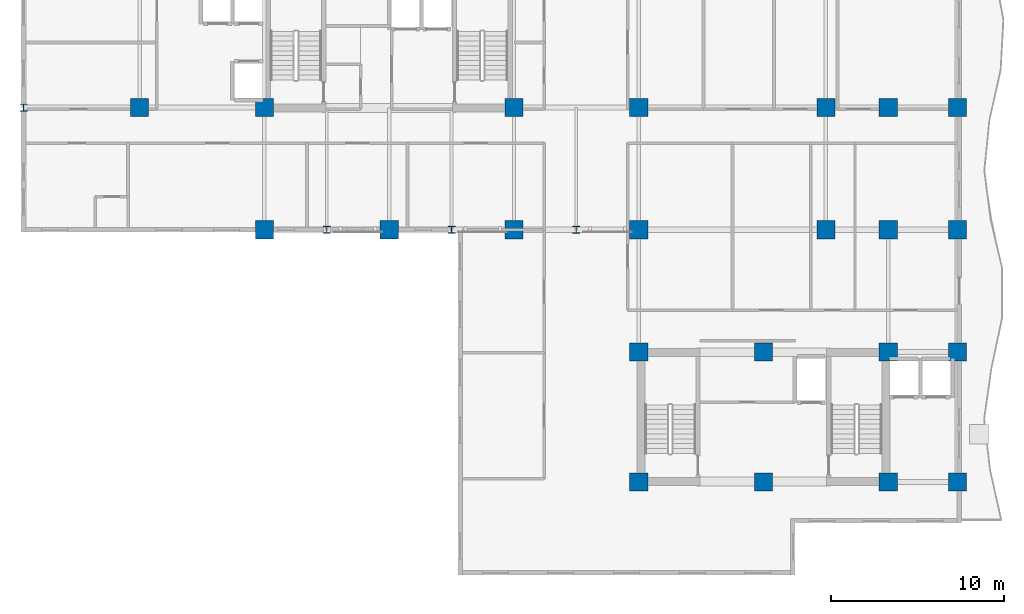
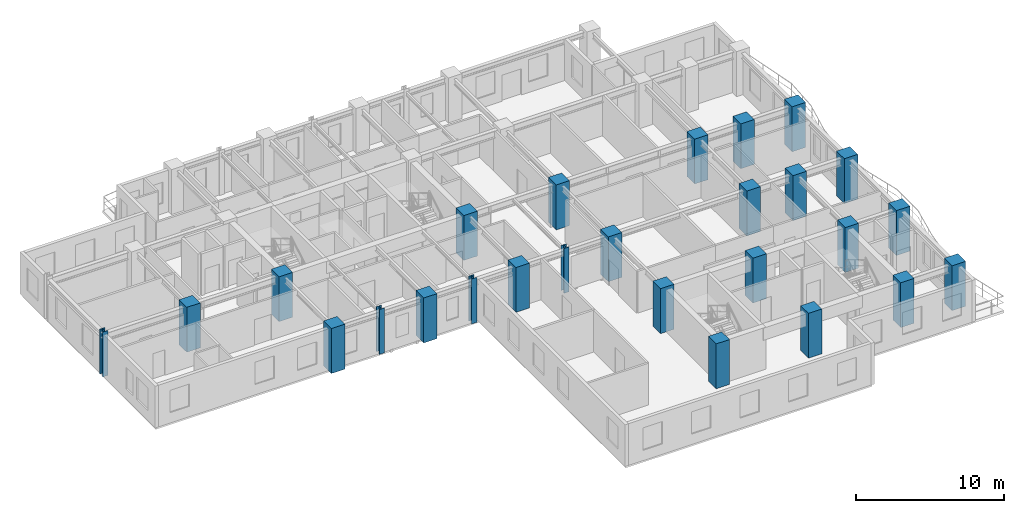
# One storey, part 1 of 13: 26 columns.
"""IFC4 building model written with IfcOpenShell, lengths in metres."""

import ifcopenshell
import ifcopenshell.guid

model = None  # the IFC model being written
_history = None  # IfcOwnerHistory: only IFC2X3 demands one
_inside = {}  # id of a spatial element -> (the spatial element, [elements in it])
_under = {}  # id of a project, library or spatial element -> (it, [spatial elements below it])
_declared = {}  # id of a project -> (the project, [libraries it declares])
_typed = {}  # id of a type object -> (the type object, [elements of that type])
_made_of = {}  # id of a material, layer set ... -> (it, [elements and type objects made of it])


def new_model(schema):
    """Start an empty IFC model of exactly this schema.

    Asked for "IFC4X3", IfcOpenShell would pick the latest addendum, in which some entities
    have other attributes; the version numbers below select the first issue.
    IFC2X3 requires an IfcOwnerHistory on every rooted entity: one is made here for all.
    """
    global model, _history
    if schema == "IFC4X3":
        model = ifcopenshell.file(schema_version=(4, 3, 0, 0))
    else:
        model = ifcopenshell.file(schema=schema)
    _inside.clear()
    _under.clear()
    _declared.clear()
    _typed.clear()
    _made_of.clear()
    _history = None
    if model.schema == "IFC2X3":
        org = make("IfcOrganization", Name="unknown")
        user = make(
            "IfcPersonAndOrganization",
            ThePerson=make("IfcPerson", FamilyName="unknown"),
            TheOrganization=org,
        )
        app = make(
            "IfcApplication",
            ApplicationDeveloper=org,
            Version="unknown",
            ApplicationFullName="unknown",
            ApplicationIdentifier="unknown",
        )
        _history = make(
            "IfcOwnerHistory",
            OwningUser=user,
            OwningApplication=app,
            ChangeAction="ADDED",
            CreationDate=0,
        )
    return model


def make(cls, **values):
    """One entity of the class cls with the attributes given. An attribute that is None is left unset."""
    return model.create_entity(
        cls, **{name: value for name, value in values.items() if value is not None}
    )


def rooted(cls, **values):
    """An entity with a GlobalId (a new one), such as an element, a storey or a relation."""
    return make(cls, GlobalId=ifcopenshell.guid.new(), OwnerHistory=_history, **values)


def si_unit(unit_type, name, prefix=None):
    """IfcSIUnit, for example si_unit("LENGTHUNIT", "METRE", prefix="MILLI")."""
    return make("IfcSIUnit", UnitType=unit_type, Prefix=prefix, Name=name)


def assignment(units):
    """IfcUnitAssignment: the units of a project."""
    return None if units is None else make("IfcUnitAssignment", Units=units)


def point(xyz):
    """IfcCartesianPoint."""
    return None if xyz is None else make("IfcCartesianPoint", Coordinates=xyz)


def direction(xyz):
    """IfcDirection."""
    return None if xyz is None else make("IfcDirection", DirectionRatios=xyz)


def frame(location, z_axis=None, x_axis=None):
    """IfcAxis2Placement3D, a coordinate frame: its origin and axes. An axis left out is left unset."""
    return make(
        "IfcAxis2Placement3D",
        Location=point(location),
        Axis=direction(z_axis),
        RefDirection=direction(x_axis),
    )


def frame_2d(location, x_axis=None):
    """IfcAxis2Placement2D, a coordinate frame in the plane: its origin and x axis."""
    return make(
        "IfcAxis2Placement2D", Location=point(location), RefDirection=direction(x_axis)
    )


def origin():
    """The frame at (0, 0, 0) with its axes left unset."""
    return frame((0.0, 0.0, 0.0))


def origin_2d():
    """The frame at (0, 0) in the plane with its x axis left unset."""
    return frame_2d((0.0, 0.0))


def place(relative_to, where):
    """IfcLocalPlacement: puts the frame where relative to a parent placement (None: the world)."""
    return make(
        "IfcLocalPlacement", PlacementRelTo=relative_to, RelativePlacement=where
    )


def context(
    kind, dimensions, precision=None, world=None, true_north=None, identifier=None
):
    """IfcGeometricRepresentationContext, for example the 3D "Model" context."""
    return make(
        "IfcGeometricRepresentationContext",
        ContextIdentifier=identifier,
        ContextType=kind,
        CoordinateSpaceDimension=dimensions,
        Precision=precision,
        WorldCoordinateSystem=world,
        TrueNorth=true_north,
    )


def subcontext(parent, identifier, kind, view, scale=None):
    """IfcGeometricRepresentationSubContext, for example "Body" below "Model"."""
    return make(
        "IfcGeometricRepresentationSubContext",
        ContextIdentifier=identifier,
        ContextType=kind,
        ParentContext=parent,
        TargetScale=scale,
        TargetView=view,
    )


def project(units=None, contexts=None):
    """IfcProject with its units and contexts."""
    return rooted(
        "IfcProject",
        Name="project",
        RepresentationContexts=contexts,
        UnitsInContext=assignment(units),
    )


def spatial(cls, under=None, at=None, **own):
    """A site, building, storey or space (cls), placed at a placement, below another one or the project."""
    s = rooted(cls, ObjectPlacement=at, **own)
    if under is not None:
        _under.setdefault(under.id(), (under, []))[1].append(s)
    return s


def profile(cls, at=None, kind="AREA", **sizes):
    """A parametric profile (cls). Its sizes go by their IFC names, for example OverallWidth=200.0."""
    return make(cls, ProfileType=kind, Position=at, **sizes)


def rectangle(**sizes):
    """IfcRectangleProfileDef."""
    return profile("IfcRectangleProfileDef", **sizes)


def i_section(**sizes):
    """IfcIShapeProfileDef."""
    return profile("IfcIShapeProfileDef", **sizes)


def extrude(swept, where, along, depth):
    """IfcExtrudedAreaSolid: the profile swept, set in the frame where, extruded along a direction by depth."""
    return make(
        "IfcExtrudedAreaSolid",
        SweptArea=swept,
        Position=where,
        ExtrudedDirection=direction(along),
        Depth=depth,
    )


def shape(context_of_items, identifier, shape_type, items):
    """IfcShapeRepresentation: the items that make up one representation, for example the "Body"."""
    return make(
        "IfcShapeRepresentation",
        ContextOfItems=context_of_items,
        RepresentationIdentifier=identifier,
        RepresentationType=shape_type,
        Items=items,
    )


def source(mapping_origin, context_of_items, identifier, shape_type, items):
    """IfcRepresentationMap: a shape defined once, which mapped items show again and again."""
    return make(
        "IfcRepresentationMap",
        MappingOrigin=mapping_origin,
        MappedRepresentation=shape(context_of_items, identifier, shape_type, items),
    )


def transform(
    local_origin,
    x_axis=None,
    y_axis=None,
    z_axis=None,
    scale=None,
    scale2=None,
    scale3=None,
    uniform=True,
):
    """IfcCartesianTransformationOperator3D, or its non-uniform kind. x_axis, y_axis, z_axis: its Axis1, 2, 3."""
    if uniform:
        return make(
            "IfcCartesianTransformationOperator3D",
            Axis1=direction(x_axis),
            Axis2=direction(y_axis),
            LocalOrigin=point(local_origin),
            Scale=scale,
            Axis3=direction(z_axis),
        )
    return make(
        "IfcCartesianTransformationOperator3DnonUniform",
        Axis1=direction(x_axis),
        Axis2=direction(y_axis),
        LocalOrigin=point(local_origin),
        Scale=scale,
        Axis3=direction(z_axis),
        Scale2=scale2,
        Scale3=scale3,
    )


def mapped(mapping_source, mapping_target):
    """IfcMappedItem: shows the shape of a source again, moved by a transform."""
    return make(
        "IfcMappedItem", MappingSource=mapping_source, MappingTarget=mapping_target
    )


def material(Name=None, Category=None):
    """IfcMaterial."""
    return make("IfcMaterial", Name=Name, Category=Category)


def material_profile(
    of_material, cross_section, Name=None, Category=None, Priority=None
):
    """IfcMaterialProfile: a cross section and its material."""
    return make(
        "IfcMaterialProfile",
        Name=Name,
        Material=of_material,
        Profile=cross_section,
        Priority=Priority,
        Category=Category,
    )


def profile_set(profiles, Name=None, composite=None):
    """IfcMaterialProfileSet."""
    return make(
        "IfcMaterialProfileSet",
        Name=Name,
        MaterialProfiles=profiles,
        CompositeProfile=composite,
    )


def made_of(thing, what):
    """Note that an element or type object is made of a material, layer set ...; save() writes the relation."""
    if what is not None:
        _made_of.setdefault(what.id(), (what, []))[1].append(thing)
    return thing


def type_object(cls, material=None, **own):
    """A type object (cls), such as IfcWallType, which elements share."""
    return made_of(rooted(cls, **own), material)


def element(
    cls,
    number,
    at=None,
    inside=None,
    cuts=None,
    type_object=None,
    material=None,
    context=None,
    identifier="Body",
    shape_type=None,
    held_by="IfcProductDefinitionShape",
    body=None,
    shapes=None,
    **own,
):
    """One element of the class cls, such as IfcWall. Its Tag is "e" and its number.

    at: its placement. inside: the storey or other place that contains it. cuts: it is an
    opening in that element (IfcRelVoidsElement). A single representation is given by context,
    identifier, shape_type and body (its items); several are given by shapes. held_by: the class
    of the entity that holds the representations. save() writes the other relations.
    """
    e = rooted(cls, Tag="e%d" % number, ObjectPlacement=at, **own)
    if body is not None:
        shapes = [shape(context, identifier, shape_type, body)]
    if shapes is not None:
        e.Representation = make(held_by, Representations=shapes)
    if inside is not None:
        _inside.setdefault(inside.id(), (inside, []))[1].append(e)
    if cuts is not None:
        rooted(
            "IfcRelVoidsElement", RelatingBuildingElement=cuts, RelatedOpeningElement=e
        )
    if type_object is not None:
        _typed.setdefault(type_object.id(), (type_object, []))[1].append(e)
    return made_of(e, material)


def aggregate(whole, parts):
    """IfcRelAggregates: a whole, such as a stair, and the parts it consists of."""
    return rooted("IfcRelAggregates", RelatingObject=whole, RelatedObjects=parts)


def save(model, path):
    """Write the relations noted so far, then the file.

    IfcRelAggregates (storeys below a building ...), IfcRelContainedInSpatialStructure (elements
    in a storey), IfcRelDefinesByType, IfcRelAssociatesMaterial and IfcRelDeclares: one each for
    every whole, place, type object, material and project.
    """
    for whole, parts in _under.values():
        aggregate(whole, parts)
    for where, things in _inside.values():
        rooted(
            "IfcRelContainedInSpatialStructure",
            RelatedElements=things,
            RelatingStructure=where,
        )
    for kind, things in _typed.values():
        rooted("IfcRelDefinesByType", RelatedObjects=things, RelatingType=kind)
    for what, things in _made_of.values():
        rooted("IfcRelAssociatesMaterial", RelatedObjects=things, RelatingMaterial=what)
    for by, libraries in _declared.values():
        rooted("IfcRelDeclares", RelatingContext=by, RelatedDefinitions=libraries)
    model.write(path)


model = new_model("IFC4")

# Units and contexts
model_context = context("Model", 3, precision=1e-05, world=origin(), true_north=direction((0.0, 1.0)))
body_context = subcontext(model_context, "Body", "Model", "MODEL_VIEW")
ifc_project = project(units=[si_unit("LENGTHUNIT", "METRE"), si_unit("AREAUNIT", "SQUARE_METRE"), si_unit("VOLUMEUNIT", "CUBIC_METRE"), si_unit("PLANEANGLEUNIT", "RADIAN"), si_unit("MASSUNIT", "GRAM", prefix="KILO")], contexts=[model_context])

# Site, building, storey
site_placement = place(None, origin())
site = spatial("IfcSite", under=ifc_project, at=site_placement, CompositionType="ELEMENT")
building_placement = place(site_placement, origin())
building = spatial("IfcBuilding", under=site, at=building_placement, Name="Kaliganga Portal Commons", CompositionType="ELEMENT")
storey_placement = place(building_placement, frame((0.0, 0.0, 180.89990234375)))
storey = spatial("IfcBuildingStorey", under=building, at=storey_placement, Name="L46", CompositionType="ELEMENT", Elevation=180.89990234375)

# Columns
ifc_material_1 = material(Name="Concrete C60/75", Category="concrete")
ifc_material_profile_1 = material_profile(ifc_material_1, rectangle(XDim=1.050048828125, YDim=1.050048828125, at=origin_2d()), Name="RC 1050x1050")
ifc_profile_set_1 = profile_set([ifc_material_profile_1], Name="Concrete C60/75")
column_type_1 = type_object("IfcColumnType", Name="COL-MEGA-Z3", PredefinedType="COLUMN", material=ifc_profile_set_1)
shared_shape_1 = source(origin(), body_context, "Body", "SweptSolid", [
    extrude(rectangle(XDim=1.050048828125, YDim=1.050048828125, at=origin_2d()), origin(), (0.0, 0.0, 1.0), 3.7001953125),
])
for number, where, z_axis, x_axis, name in (
    (1, (7.199951171875, 28.64990234375, 0.0), (0.0, 0.0, 1.0), (1.0, 0.0, 0.0), "Column MC-04 L46"),
    (2, (14.39990234375, 21.60009765625, 0.0), (0.0, 0.0, 1.0), (1.0, 0.0, 0.0), "Column MC-04 L46"),
    (3, (14.39990234375, 28.64990234375, 0.0), (0.0, 0.0, 1.0), (1.0, 0.0, 0.0), "Column MC-04 L46"),
    (4, (21.60009765625, 21.60009765625, 0.0), (0.0, 0.0, 1.0), (1.0, 0.0, 0.0), "Column MC-04 L46"),
    (5, (28.800048828125, 21.60009765625, 0.0), (0.0, 0.0, 1.0), (1.0, 0.0, 0.0), "Column MC-04 L46"),
    (6, (28.800048828125, 28.64990234375, 0.0), (0.0, 0.0, 1.0), (1.0, 0.0, 0.0), "Column MC-04 L46"),
    (7, (36.0, 21.60009765625, 0.0), (0.0, 0.0, 1.0), (1.0, 0.0, 0.0), "Column MC-04 L46"),
    (8, (36.0, 28.64990234375, 0.0), (0.0, 0.0, 1.0), (1.0, 0.0, 0.0), "Column MC-04 L46"),
    (9, (46.800048828125, 21.60009765625, 0.0), (0.0, 0.0, 1.0), (1.0, 0.0, 0.0), "Column MC-04 L46"),
    (10, (46.800048828125, 28.64990234375, 0.0), (0.0, 0.0, 1.0), (1.0, 0.0, 0.0), "Column MC-04 L46"),
    (11, (36.0, 7.050048828125, 0.0), (0.0, 0.0, 1.0), (1.0, 0.0, 0.0), "Column MC-04 L46"),
    (12, (36.0, 14.550048828125, 0.0), (0.0, 0.0, 1.0), (1.0, 0.0, 0.0), "Column MC-04 L46"),
    (13, (43.199951171875, 7.050048828125, 0.0), (0.0, 0.0, 1.0), (1.0, 0.0, 0.0), "Column MC-04 L46"),
    (14, (43.199951171875, 14.550048828125, 0.0), (0.0, 0.0, 1.0), (1.0, 0.0, 0.0), "Column MC-04 L46"),
    (15, (50.39990234375, 7.050048828125, 0.0), (0.0, 0.0, 1.0), (1.0, 0.0, 0.0), "Column MC-04 L46"),
    (16, (50.39990234375, 14.550048828125, 0.0), (0.0, 0.0, 1.0), (1.0, 0.0, 0.0), "Column MC-04 L46"),
    (17, (50.39990234375, 21.60009765625, 0.0), (0.0, 0.0, 1.0), (1.0, 0.0, 0.0), "Column MC-04 L46"),
    (18, (50.39990234375, 28.64990234375, 0.0), (0.0, 0.0, 1.0), (1.0, 0.0, 0.0), "Column MC-04 L46"),
    (19, (54.39990234375, 7.050048828125, 0.0), (0.0, 0.0, 1.0), (1.0, 0.0, 0.0), "Column MC-04 L46"),
    (20, (54.39990234375, 14.550048828125, 0.0), (0.0, 0.0, 1.0), (1.0, 0.0, 0.0), "Column MC-04 L46"),
    (21, (54.39990234375, 21.60009765625, 0.0), (0.0, 0.0, 1.0), (1.0, 0.0, 0.0), "Column MC-04 L46"),
    (22, (54.39990234375, 28.64990234375, 0.0), (0.0, 0.0, 1.0), (1.0, 0.0, 0.0), "Column MC-04 L46"),
):
    element("IfcColumn", number, at=place(storey_placement, frame(where, z_axis=z_axis, x_axis=x_axis)), inside=storey, type_object=column_type_1, Name=name, PredefinedType="COLUMN", context=body_context, shape_type="MappedRepresentation", body=[
        mapped(shared_shape_1, transform((0.0, 0.0, 0.0), x_axis=(1.0, 0.0, 0.0), y_axis=(0.0, 1.0, 0.0), z_axis=(0.0, 0.0, 1.0), scale=1.0)),
    ])
ifc_material_2 = material(Name="Structural steel S460M", Category="steel")
ifc_material_profile_2 = material_profile(ifc_material_2, i_section(OverallWidth=0.404052734375, OverallDepth=0.4140625, WebThickness=0.0205078125, FlangeThickness=0.028076171875, FilletRadius=0.014892578125, at=origin_2d()), Name="HD 400x347")
ifc_profile_set_2 = profile_set([ifc_material_profile_2], Name="Structural steel S460M wide-flange")
column_type_2 = type_object("IfcColumnType", Name="COL-TUBE-B3", PredefinedType="COLUMN", material=ifc_profile_set_2)
shared_shape_2 = source(origin(), body_context, "Body", "SweptSolid", [
    extrude(i_section(OverallWidth=0.404052734375, OverallDepth=0.4140625, WebThickness=0.0205078125, FlangeThickness=0.028076171875, FilletRadius=0.014892578125, at=origin_2d()), origin(), (0.0, 0.0, 1.0), 3.7001953125),
])
for number, where, z_axis, x_axis, name in (
    (23, (0.5, 28.64990234375, 0.0), (0.0, 0.0, 1.0), (1.0, 0.0, 0.0), "Column TC-03 L46"),
    (24, (18.0, 21.60009765625, 0.0), (0.0, 0.0, 1.0), (1.0, 0.0, 0.0), "Column TC-03 L46"),
    (25, (25.199951171875, 21.60009765625, 0.0), (0.0, 0.0, 1.0), (1.0, 0.0, 0.0), "Column TC-03 L46"),
    (26, (32.39990234375, 21.60009765625, 0.0), (0.0, 0.0, 1.0), (1.0, 0.0, 0.0), "Column TC-03 L46"),
):
    element("IfcColumn", number, at=place(storey_placement, frame(where, z_axis=z_axis, x_axis=x_axis)), inside=storey, type_object=column_type_2, Name=name, PredefinedType="COLUMN", context=body_context, shape_type="MappedRepresentation", body=[
        mapped(shared_shape_2, transform((0.0, 0.0, 0.0), x_axis=(1.0, 0.0, 0.0), y_axis=(0.0, 1.0, 0.0), z_axis=(0.0, 0.0, 1.0), scale=1.0)),
    ])

save(model, "model.ifc")
